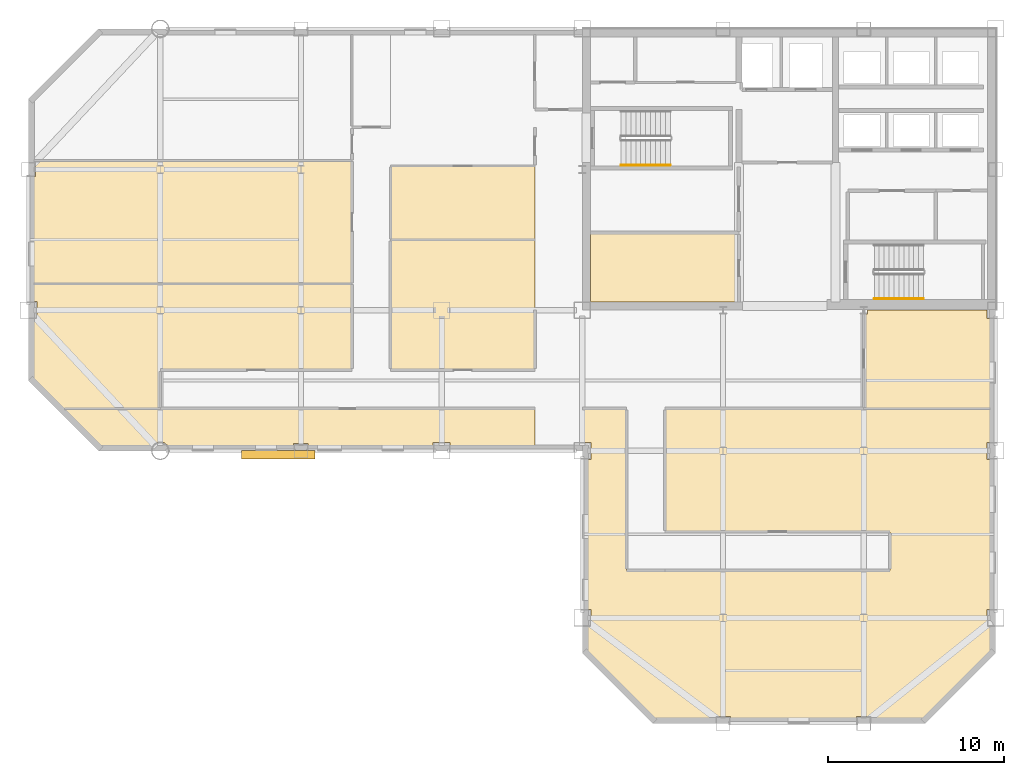
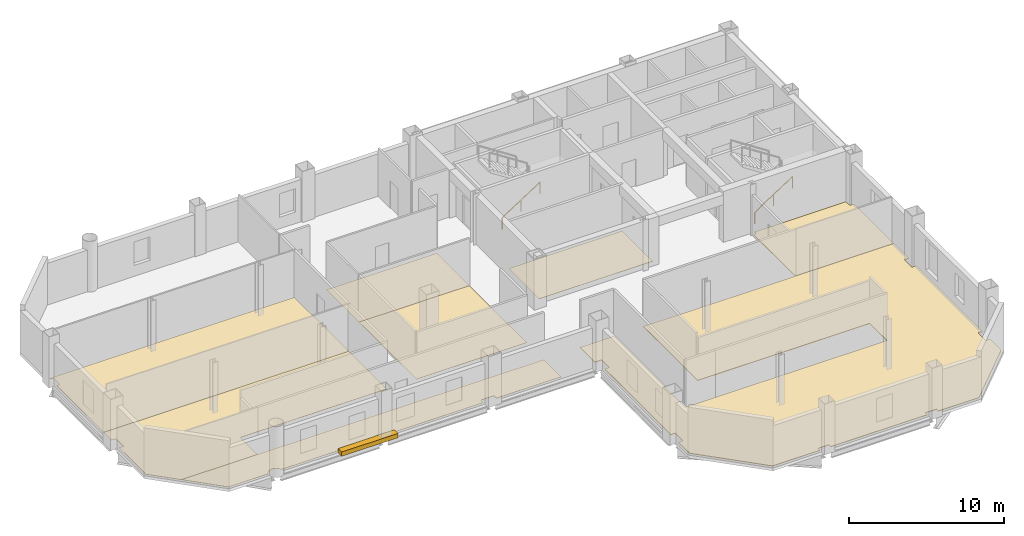
# One storey, part 7 of 10: 8 coverings, 2 railings, 1 shading device.
"""IFC4 building model written with IfcOpenShell, lengths in metres."""

import ifcopenshell
import ifcopenshell.guid

model = None  # the IFC model being written
_history = None  # IfcOwnerHistory: only IFC2X3 demands one
_inside = {}  # id of a spatial element -> (the spatial element, [elements in it])
_under = {}  # id of a project, library or spatial element -> (it, [spatial elements below it])
_declared = {}  # id of a project -> (the project, [libraries it declares])
_typed = {}  # id of a type object -> (the type object, [elements of that type])
_made_of = {}  # id of a material, layer set ... -> (it, [elements and type objects made of it])


def new_model(schema):
    """Start an empty IFC model of exactly this schema.

    Asked for "IFC4X3", IfcOpenShell would pick the latest addendum, in which some entities
    have other attributes; the version numbers below select the first issue.
    IFC2X3 requires an IfcOwnerHistory on every rooted entity: one is made here for all.
    """
    global model, _history
    if schema == "IFC4X3":
        model = ifcopenshell.file(schema_version=(4, 3, 0, 0))
    else:
        model = ifcopenshell.file(schema=schema)
    _inside.clear()
    _under.clear()
    _declared.clear()
    _typed.clear()
    _made_of.clear()
    _history = None
    if model.schema == "IFC2X3":
        org = make("IfcOrganization", Name="unknown")
        user = make(
            "IfcPersonAndOrganization",
            ThePerson=make("IfcPerson", FamilyName="unknown"),
            TheOrganization=org,
        )
        app = make(
            "IfcApplication",
            ApplicationDeveloper=org,
            Version="unknown",
            ApplicationFullName="unknown",
            ApplicationIdentifier="unknown",
        )
        _history = make(
            "IfcOwnerHistory",
            OwningUser=user,
            OwningApplication=app,
            ChangeAction="ADDED",
            CreationDate=0,
        )
    return model


def make(cls, **values):
    """One entity of the class cls with the attributes given. An attribute that is None is left unset."""
    return model.create_entity(
        cls, **{name: value for name, value in values.items() if value is not None}
    )


def rooted(cls, **values):
    """An entity with a GlobalId (a new one), such as an element, a storey or a relation."""
    return make(cls, GlobalId=ifcopenshell.guid.new(), OwnerHistory=_history, **values)


def si_unit(unit_type, name, prefix=None):
    """IfcSIUnit, for example si_unit("LENGTHUNIT", "METRE", prefix="MILLI")."""
    return make("IfcSIUnit", UnitType=unit_type, Prefix=prefix, Name=name)


def assignment(units):
    """IfcUnitAssignment: the units of a project."""
    return None if units is None else make("IfcUnitAssignment", Units=units)


def point(xyz):
    """IfcCartesianPoint."""
    return None if xyz is None else make("IfcCartesianPoint", Coordinates=xyz)


def direction(xyz):
    """IfcDirection."""
    return None if xyz is None else make("IfcDirection", DirectionRatios=xyz)


def frame(location, z_axis=None, x_axis=None):
    """IfcAxis2Placement3D, a coordinate frame: its origin and axes. An axis left out is left unset."""
    return make(
        "IfcAxis2Placement3D",
        Location=point(location),
        Axis=direction(z_axis),
        RefDirection=direction(x_axis),
    )


def frame_2d(location, x_axis=None):
    """IfcAxis2Placement2D, a coordinate frame in the plane: its origin and x axis."""
    return make(
        "IfcAxis2Placement2D", Location=point(location), RefDirection=direction(x_axis)
    )


def origin():
    """The frame at (0, 0, 0) with its axes left unset."""
    return frame((0.0, 0.0, 0.0))


def origin_2d():
    """The frame at (0, 0) in the plane with its x axis left unset."""
    return frame_2d((0.0, 0.0))


def place(relative_to, where):
    """IfcLocalPlacement: puts the frame where relative to a parent placement (None: the world)."""
    return make(
        "IfcLocalPlacement", PlacementRelTo=relative_to, RelativePlacement=where
    )


def context(
    kind, dimensions, precision=None, world=None, true_north=None, identifier=None
):
    """IfcGeometricRepresentationContext, for example the 3D "Model" context."""
    return make(
        "IfcGeometricRepresentationContext",
        ContextIdentifier=identifier,
        ContextType=kind,
        CoordinateSpaceDimension=dimensions,
        Precision=precision,
        WorldCoordinateSystem=world,
        TrueNorth=true_north,
    )


def subcontext(parent, identifier, kind, view, scale=None):
    """IfcGeometricRepresentationSubContext, for example "Body" below "Model"."""
    return make(
        "IfcGeometricRepresentationSubContext",
        ContextIdentifier=identifier,
        ContextType=kind,
        ParentContext=parent,
        TargetScale=scale,
        TargetView=view,
    )


def project(units=None, contexts=None):
    """IfcProject with its units and contexts."""
    return rooted(
        "IfcProject",
        Name="project",
        RepresentationContexts=contexts,
        UnitsInContext=assignment(units),
    )


def spatial(cls, under=None, at=None, **own):
    """A site, building, storey or space (cls), placed at a placement, below another one or the project."""
    s = rooted(cls, ObjectPlacement=at, **own)
    if under is not None:
        _under.setdefault(under.id(), (under, []))[1].append(s)
    return s


def polyline(points):
    """IfcPolyline through the points."""
    return make("IfcPolyline", Points=[point(p) for p in points])


def profile(cls, at=None, kind="AREA", **sizes):
    """A parametric profile (cls). Its sizes go by their IFC names, for example OverallWidth=200.0."""
    return make(cls, ProfileType=kind, Position=at, **sizes)


def rectangle(**sizes):
    """IfcRectangleProfileDef."""
    return profile("IfcRectangleProfileDef", **sizes)


def circle(**sizes):
    """IfcCircleProfileDef."""
    return profile("IfcCircleProfileDef", **sizes)


def outline(outer, holes=None, kind="AREA"):
    """IfcArbitraryClosedProfileDef: a profile drawn as a closed curve; with holes, ...WithVoids."""
    if holes is None:
        return make("IfcArbitraryClosedProfileDef", ProfileType=kind, OuterCurve=outer)
    return make(
        "IfcArbitraryProfileDefWithVoids",
        ProfileType=kind,
        OuterCurve=outer,
        InnerCurves=holes,
    )


def extrude(swept, where, along, depth):
    """IfcExtrudedAreaSolid: the profile swept, set in the frame where, extruded along a direction by depth."""
    return make(
        "IfcExtrudedAreaSolid",
        SweptArea=swept,
        Position=where,
        ExtrudedDirection=direction(along),
        Depth=depth,
    )


def shape(context_of_items, identifier, shape_type, items):
    """IfcShapeRepresentation: the items that make up one representation, for example the "Body"."""
    return make(
        "IfcShapeRepresentation",
        ContextOfItems=context_of_items,
        RepresentationIdentifier=identifier,
        RepresentationType=shape_type,
        Items=items,
    )


def material(Name=None, Category=None):
    """IfcMaterial."""
    return make("IfcMaterial", Name=Name, Category=Category)


def layer(
    of_material, thickness, ventilated=None, Name=None, Category=None, Priority=None
):
    """IfcMaterialLayer: one layer of a wall or slab, of a material (None: an air gap)."""
    return make(
        "IfcMaterialLayer",
        Material=of_material,
        LayerThickness=thickness,
        IsVentilated=ventilated,
        Name=Name,
        Category=Category,
        Priority=Priority,
    )


def layer_set(layers, Name=None):
    """IfcMaterialLayerSet."""
    return make("IfcMaterialLayerSet", MaterialLayers=layers, LayerSetName=Name)


def made_of(thing, what):
    """Note that an element or type object is made of a material, layer set ...; save() writes the relation."""
    if what is not None:
        _made_of.setdefault(what.id(), (what, []))[1].append(thing)
    return thing


def type_object(cls, material=None, **own):
    """A type object (cls), such as IfcWallType, which elements share."""
    return made_of(rooted(cls, **own), material)


def element(
    cls,
    number,
    at=None,
    inside=None,
    cuts=None,
    type_object=None,
    material=None,
    context=None,
    identifier="Body",
    shape_type=None,
    held_by="IfcProductDefinitionShape",
    body=None,
    shapes=None,
    **own,
):
    """One element of the class cls, such as IfcWall. Its Tag is "e" and its number.

    at: its placement. inside: the storey or other place that contains it. cuts: it is an
    opening in that element (IfcRelVoidsElement). A single representation is given by context,
    identifier, shape_type and body (its items); several are given by shapes. held_by: the class
    of the entity that holds the representations. save() writes the other relations.
    """
    e = rooted(cls, Tag="e%d" % number, ObjectPlacement=at, **own)
    if body is not None:
        shapes = [shape(context, identifier, shape_type, body)]
    if shapes is not None:
        e.Representation = make(held_by, Representations=shapes)
    if inside is not None:
        _inside.setdefault(inside.id(), (inside, []))[1].append(e)
    if cuts is not None:
        rooted(
            "IfcRelVoidsElement", RelatingBuildingElement=cuts, RelatedOpeningElement=e
        )
    if type_object is not None:
        _typed.setdefault(type_object.id(), (type_object, []))[1].append(e)
    return made_of(e, material)


def aggregate(whole, parts):
    """IfcRelAggregates: a whole, such as a stair, and the parts it consists of."""
    return rooted("IfcRelAggregates", RelatingObject=whole, RelatedObjects=parts)


def save(model, path):
    """Write the relations noted so far, then the file.

    IfcRelAggregates (storeys below a building ...), IfcRelContainedInSpatialStructure (elements
    in a storey), IfcRelDefinesByType, IfcRelAssociatesMaterial and IfcRelDeclares: one each for
    every whole, place, type object, material and project.
    """
    for whole, parts in _under.values():
        aggregate(whole, parts)
    for where, things in _inside.values():
        rooted(
            "IfcRelContainedInSpatialStructure",
            RelatedElements=things,
            RelatingStructure=where,
        )
    for kind, things in _typed.values():
        rooted("IfcRelDefinesByType", RelatedObjects=things, RelatingType=kind)
    for what, things in _made_of.values():
        rooted("IfcRelAssociatesMaterial", RelatedObjects=things, RelatingMaterial=what)
    for by, libraries in _declared.values():
        rooted("IfcRelDeclares", RelatingContext=by, RelatedDefinitions=libraries)
    model.write(path)


model = new_model("IFC4")

# Units and contexts
model_context = context("Model", 3, precision=1e-05, world=origin(), true_north=direction((0.0, 1.0)))
body_context = subcontext(model_context, "Body", "Model", "MODEL_VIEW")
ifc_project = project(units=[si_unit("LENGTHUNIT", "METRE"), si_unit("AREAUNIT", "SQUARE_METRE"), si_unit("VOLUMEUNIT", "CUBIC_METRE"), si_unit("PLANEANGLEUNIT", "RADIAN"), si_unit("MASSUNIT", "GRAM", prefix="KILO")], contexts=[model_context])

# Site, building, storey
site_placement = place(None, origin())
site = spatial("IfcSite", under=ifc_project, at=site_placement, CompositionType="ELEMENT")
building_placement = place(site_placement, origin())
building = spatial("IfcBuilding", under=site, at=building_placement, Name="Qianrong Seaharbour Tower", CompositionType="ELEMENT")
storey_placement = place(building_placement, frame((0.0, 0.0, 261.800048828125)))
storey = spatial("IfcBuildingStorey", under=building, at=storey_placement, Name="L63", CompositionType="ELEMENT", Elevation=261.800048828125)

# Coverings
ifc_material_1 = material(Name="Acoustic modular carpet tile flooring")
ifc_layer_1 = layer(ifc_material_1, 0.02001953125)
ifc_layer_set_1 = layer_set([ifc_layer_1], Name="Acoustic modular carpet tile flooring")
covering_type_1 = type_object("IfcCoveringType", Name="COV-FLOOR-CARPET-20", PredefinedType="FLOORING", material=ifc_layer_set_1)
covering_1_placement = place(storey_placement, origin())
element("IfcCovering", 1, at=covering_1_placement, inside=storey, type_object=covering_type_1, Name="L63 Corporate Archive Room Finish Flooring", PredefinedType="FLOORING", context=body_context, shape_type="SweptSolid", body=[
    extrude(outline(polyline([(49.39990234375, 40.39990234375), (49.39990234375, 36.4599609375), (40.985107421875, 36.4599609375), (40.985107421875, 36.485107421875), (40.9599609375, 36.485107421875), (40.9599609375, 40.39990234375), (49.39990234375, 40.39990234375)])), origin(), (0.0, 0.0, 1.0), 0.02001953125),
])
covering_2_placement = place(storey_placement, origin())
element("IfcCovering", 2, at=covering_2_placement, inside=storey, type_object=covering_type_1, Name="L63 Occupational Health Clinic 1 Finish Flooring", PredefinedType="FLOORING", context=body_context, shape_type="SweptSolid", body=[
    extrude(outline(polyline([(16.5, 32.60009765625), (16.5, 30.39990234375), (10.833251953125, 30.39990234375), (9.1650390625, 32.068359375), (9.1650390625, 35.514892578125), (9.485107421875, 35.514892578125), (9.485107421875, 36.485107421875), (9.1650390625, 36.485107421875), (9.1650390625, 37.5), (27.39990234375, 37.5), (27.39990234375, 32.60009765625), (16.5, 32.60009765625)])), origin(), (0.0, 0.0, 1.0), 0.02001953125),
])
covering_3_placement = place(storey_placement, origin())
element("IfcCovering", 3, at=covering_3_placement, inside=storey, type_object=covering_type_1, Name="L63 Physiotherapy Room 2 Finish Flooring", PredefinedType="FLOORING", context=body_context, shape_type="SweptSolid", body=[
    extrude(outline(polyline([(9.1650390625, 37.5), (9.1650390625, 43.590087890625), (9.409912109375, 43.590087890625), (9.409912109375, 44.409912109375), (9.1650390625, 44.409912109375), (9.1650390625, 44.5), (27.39990234375, 44.5), (27.39990234375, 37.5), (9.1650390625, 37.5)])), origin(), (0.0, 0.0, 1.0), 0.02001953125),
])
covering_4_placement = place(storey_placement, origin())
element("IfcCovering", 4, at=covering_4_placement, inside=storey, type_object=covering_type_1, Name="L63 Medical Examination Room 1 Finish Flooring", PredefinedType="FLOORING", context=body_context, shape_type="SweptSolid", body=[
    extrude(outline(polyline([(37.800048828125, 32.60009765625), (29.60009765625, 32.60009765625), (29.60009765625, 40.0), (37.800048828125, 40.0), (37.800048828125, 32.60009765625)])), origin(), (0.0, 0.0, 1.0), 0.02001953125),
])
covering_5_placement = place(storey_placement, origin())
element("IfcCovering", 5, at=covering_5_placement, inside=storey, type_object=covering_type_1, Name="L63 Wet Pantry 2 Finish Flooring", PredefinedType="FLOORING", context=body_context, shape_type="SweptSolid", body=[
    extrude(outline(polyline([(29.60009765625, 44.199951171875), (37.800048828125, 44.199951171875), (37.800048828125, 40.0), (29.60009765625, 40.0), (29.60009765625, 44.199951171875)])), origin(), (0.0, 0.0, 1.0), 0.02001953125),
])
covering_6_placement = place(storey_placement, origin())
element("IfcCovering", 6, at=covering_6_placement, inside=storey, type_object=covering_type_1, Name="L63 Clinical Dispensary Store Finish Flooring", PredefinedType="FLOORING", context=body_context, shape_type="SweptSolid", body=[
    extrude(outline(polyline([(32.985107421875, 28.1650390625), (32.985107421875, 28.485107421875), (32.014892578125, 28.485107421875), (32.014892578125, 28.1650390625), (24.909912109375, 28.1650390625), (24.909912109375, 28.409912109375), (24.090087890625, 28.409912109375), (24.090087890625, 28.1650390625), (16.980224609375, 28.1650390625), (16.97119140625, 28.1953125), (16.924072265625, 28.283203125), (16.860595703125, 28.360595703125), (16.783203125, 28.424072265625), (16.6953125, 28.47119140625), (16.599609375, 28.500244140625), (16.5, 28.510009765625), (16.400390625, 28.500244140625), (16.3046875, 28.47119140625), (16.216796875, 28.424072265625), (16.139404296875, 28.360595703125), (16.075927734375, 28.283203125), (16.02880859375, 28.1953125), (16.019775390625, 28.1650390625), (13.068359375, 28.1650390625), (10.833251953125, 30.39990234375), (37.800048828125, 30.39990234375), (37.800048828125, 28.1650390625), (32.985107421875, 28.1650390625)])), origin(), (0.0, 0.0, 1.0), 0.02001953125),
])
ifc_material_2 = material(Name="Calcium-sulphate raised access floor tile")
ifc_layer_2 = layer(ifc_material_2, 0.044921875)
ifc_layer_set_2 = layer_set([ifc_layer_2], Name="Calcium-sulphate raised access floor tile")
covering_type_2 = type_object("IfcCoveringType", Name="COV-FLOOR-RAISED-45", PredefinedType="FLOORING", material=ifc_layer_set_2)
covering_7_placement = place(storey_placement, origin())
element("IfcCovering", 7, at=covering_7_placement, inside=storey, type_object=covering_type_2, Name="L63 South Tip Open-Plan Office Finish Flooring", PredefinedType="FLOORING", context=body_context, shape_type="SweptSolid", body=[
    extrude(outline(polyline([(43.0, 21.199951171875), (58.0, 21.199951171875), (58.0, 23.39990234375), (45.199951171875, 23.39990234375), (45.199951171875, 30.39990234375), (63.8349609375, 30.39990234375), (63.8349609375, 28.485107421875), (63.514892578125, 28.485107421875), (63.514892578125, 27.514892578125), (63.8349609375, 27.514892578125), (63.8349609375, 18.985107421875), (63.514892578125, 18.985107421875), (63.514892578125, 18.014892578125), (63.8349609375, 18.014892578125), (63.8349609375, 16.568359375), (59.931640625, 12.6650390625), (56.909912109375, 12.6650390625), (56.909912109375, 12.909912109375), (56.090087890625, 12.909912109375), (56.090087890625, 12.6650390625), (48.909912109375, 12.6650390625), (48.909912109375, 12.909912109375), (48.090087890625, 12.909912109375), (48.090087890625, 12.6650390625), (44.568359375, 12.6650390625), (40.6650390625, 16.568359375), (40.6650390625, 18.014892578125), (40.985107421875, 18.014892578125), (40.985107421875, 18.985107421875), (40.6650390625, 18.985107421875), (40.6650390625, 27.514892578125), (40.985107421875, 27.514892578125), (40.985107421875, 28.485107421875), (40.5, 28.485107421875), (40.5, 30.39990234375), (43.0, 30.39990234375), (43.0, 21.199951171875)])), origin(), (0.0, 0.0, 1.0), 0.044921875),
])
covering_8_placement = place(storey_placement, origin())
element("IfcCovering", 8, at=covering_8_placement, inside=storey, type_object=covering_type_2, Name="L63 Health Director Office 2 Finish Flooring", PredefinedType="FLOORING", context=body_context, shape_type="SweptSolid", body=[
    extrude(outline(polyline([(63.8349609375, 30.39990234375), (56.5, 30.39990234375), (56.5, 35.7900390625), (56.7099609375, 35.7900390625), (56.7099609375, 36.0), (63.514892578125, 36.0), (63.514892578125, 35.514892578125), (63.8349609375, 35.514892578125), (63.8349609375, 30.39990234375)])), origin(), (0.0, 0.0, 1.0), 0.044921875),
])

# Railings
ifc_material_3 = material(Name="Stainless steel SUS316L continuous handrail", Category="steel")
railing_type = type_object("IfcRailingType", Name="RAIL-STAIR-HANDRAIL-900", PredefinedType="HANDRAIL", material=ifc_material_3)
railing_1_placement = place(storey_placement, frame((42.699951171875, 44.25, 0.181884765625)))
element("IfcRailing", 9, at=railing_1_placement, inside=storey, type_object=railing_type, Name="L63 ST-1 stair handrail 1", PredefinedType="HANDRAIL", context=body_context, shape_type="SweptSolid", body=[
    extrude(circle(Radius=0.02392578125, at=origin_2d()), frame((0.0, 0.0, 0.8759765625), z_axis=(0.838705829183, 0.0, 0.544584733623), x_axis=(0.0, 1.0, 0.0)), (0.0, 0.0, 1.0), 3.338623046875),
    extrude(circle(Radius=0.02099609375, at=origin_2d()), origin(), (0.0, 0.0, 1.0), 0.851806640625),
    extrude(circle(Radius=0.02099609375, at=origin_2d()), frame((1.39990234375, 0.0, 0.9091796875)), (0.0, 0.0, 1.0), 0.851806640625),
    extrude(circle(Radius=0.02099609375, at=origin_2d()), frame((2.800048828125, 0.0, 1.818115234375)), (0.0, 0.0, 1.0), 0.851806640625),
])
railing_2_placement = place(storey_placement, frame((57.10009765625, 36.64990234375, 0.181884765625)))
element("IfcRailing", 10, at=railing_2_placement, inside=storey, type_object=railing_type, Name="L63 ST-2 stair handrail 1", PredefinedType="HANDRAIL", context=body_context, shape_type="SweptSolid", body=[
    extrude(circle(Radius=0.02392578125, at=origin_2d()), frame((0.0, 0.0, 0.8759765625), z_axis=(0.83868413941, 0.0, 0.544618136222), x_axis=(0.0, 1.0, 0.0)), (0.0, 0.0, 1.0), 3.33837890625),
    extrude(circle(Radius=0.02099609375, at=origin_2d()), origin(), (0.0, 0.0, 1.0), 0.851806640625),
    extrude(circle(Radius=0.02099609375, at=origin_2d()), frame((1.39990234375, 0.0, 0.9091796875)), (0.0, 0.0, 1.0), 0.851806640625),
    extrude(circle(Radius=0.02099609375, at=origin_2d()), frame((2.7998046875, 0.0, 1.818115234375)), (0.0, 0.0, 1.0), 0.851806640625),
])

# Shading device
ifc_material_4 = material(Name="White architectural precast concrete C45/55", Category="concrete")
shading_device_type = type_object("IfcShadingDeviceType", Name="SHD-SUNSHADE-WHITE-320", PredefinedType="AWNING", material=ifc_material_4)
shading_device_placement = place(storey_placement, frame((23.21240234375, 27.780029296875, -0.02001953125), z_axis=(0.0, 0.0, 1.0), x_axis=(1.0, 0.0, 0.0)))
element("IfcShadingDevice", 11, at=shading_device_placement, inside=storey, type_object=shading_device_type, Name="L63 Climbing White Precast Ribbon Canopy Fin", PredefinedType="AWNING", context=body_context, shape_type="SweptSolid", body=[
    extrude(rectangle(XDim=4.199951171875, YDim=0.4599609375, at=origin_2d()), origin(), (0.0, 0.0, 1.0), 0.340087890625),
])

save(model, "model.ifc")
